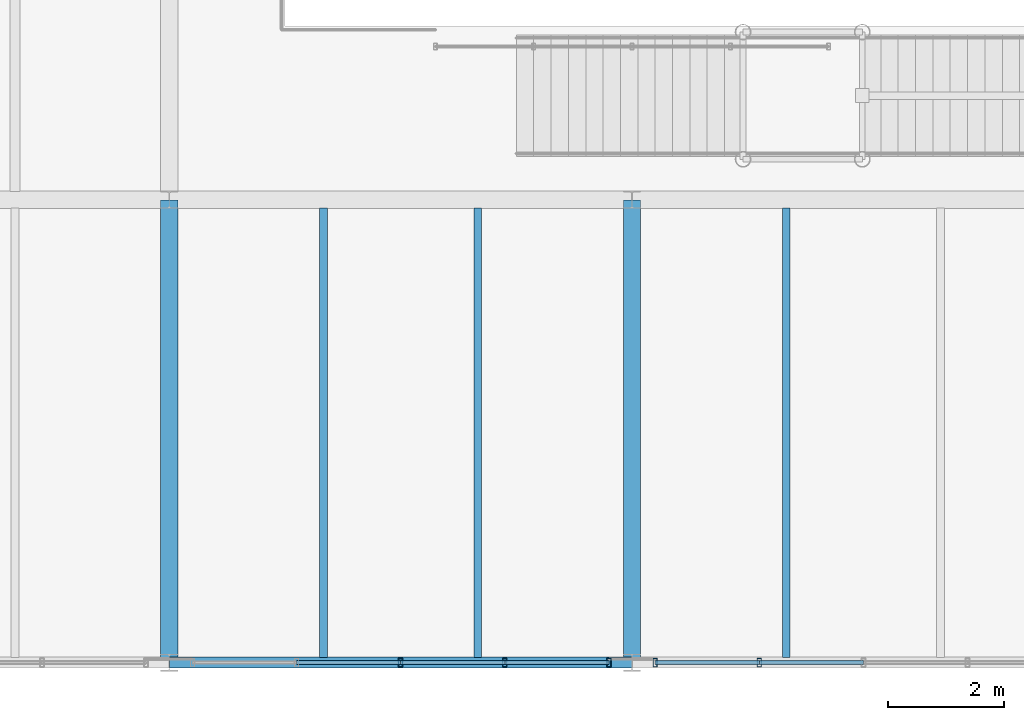
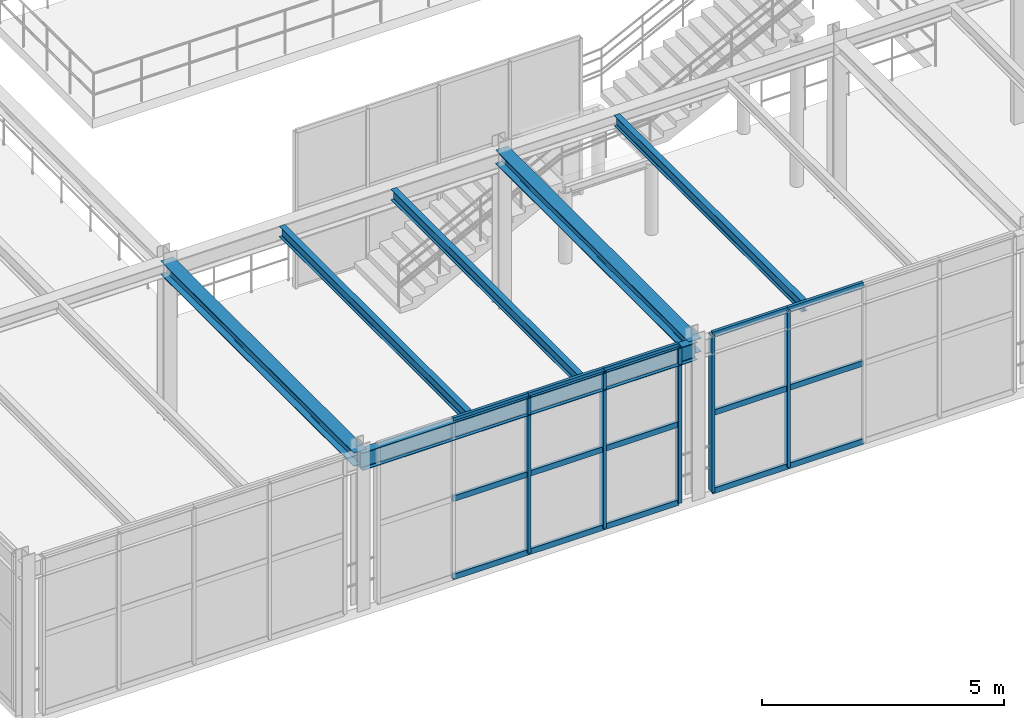
# One storey, part 35 of 124: 20 members, 6 beams, 2 elements without a shape of their own.
"""IFC4 building model written with IfcOpenShell, lengths in metres."""

from ifc_helpers import new_model, si_unit, direction, frame, origin, origin_2d, place, context, subcontext, project, spatial, hollow_rectangle, i_section, extrude, material, material_profile, profile_set, type_object, element, aggregate, save


model = new_model("IFC4")

# Units and contexts
model_context = context("Model", 3, precision=1e-05, world=origin(), true_north=direction((0.0, 1.0)))
body_context = subcontext(model_context, "Body", "Model", "MODEL_VIEW")
ifc_project = project(units=[si_unit("LENGTHUNIT", "METRE"), si_unit("AREAUNIT", "SQUARE_METRE"), si_unit("VOLUMEUNIT", "CUBIC_METRE"), si_unit("PLANEANGLEUNIT", "RADIAN"), si_unit("MASSUNIT", "GRAM", prefix="KILO")], contexts=[model_context])

# Site, building, storey
site_placement = place(None, origin())
site = spatial("IfcSite", under=ifc_project, at=site_placement, CompositionType="ELEMENT")
building_placement = place(site_placement, origin())
building = spatial("IfcBuilding", under=site, at=building_placement, Name="Sundkrona Museum", CompositionType="ELEMENT")
storey_placement = place(building_placement, frame((0.0, 0.0, 17.60009765625)))
storey = spatial("IfcBuildingStorey", under=building, at=storey_placement, Name="L03", CompositionType="ELEMENT", Elevation=17.60009765625)

# Beams
ifc_material_1 = material(Name="Steel S355J2", Category="steel")
ifc_material_profile_1 = material_profile(ifc_material_1, i_section(OverallWidth=0.300048828125, OverallDepth=0.35009765625, WebThickness=0.010009765625, FlangeThickness=0.017578125, FilletRadius=0.027099609375, at=origin_2d()), Name="HEA 360")
ifc_profile_set_1 = profile_set([ifc_material_profile_1], Name="Steel S355J2")
beam_type_1 = type_object("IfcBeamType", Name="B-HEA360", PredefinedType="BEAM", material=ifc_profile_set_1)
for number, where, z_axis, x_axis, name in (
    (1, (88.0, 0.0, 3.764892578125), (0.0, 1.0, 0.0), (-1.0, 0.0, 0.0), "L03 Girder Y-1608"),
    (2, (96.0, 0.0, 3.764892578125), (0.0, 1.0, 0.0), (-1.0, 0.0, 0.0), "L03 Girder Y-1613"),
):
    element("IfcBeam", number, at=place(storey_placement, frame(where, z_axis=z_axis, x_axis=x_axis)), inside=storey, type_object=beam_type_1, Name=name, PredefinedType="BEAM", context=body_context, shape_type="SweptSolid", body=[
        extrude(i_section(OverallWidth=0.300048828125, OverallDepth=0.35009765625, WebThickness=0.010009765625, FlangeThickness=0.017578125, FilletRadius=0.027099609375, at=origin_2d()), origin(), (0.0, 0.0, 1.0), 8.0),
    ])
ifc_material_profile_2 = material_profile(ifc_material_1, i_section(OverallWidth=0.135009765625, OverallDepth=0.27001953125, WebThickness=0.006591796875, FlangeThickness=0.01025390625, FilletRadius=0.014892578125, at=origin_2d()), Name="IPE 270")
ifc_profile_set_2 = profile_set([ifc_material_profile_2], Name="Steel S355J2")
beam_type_2 = type_object("IfcBeamType", Name="J-IPE270", PredefinedType="JOIST", material=ifc_profile_set_2)
for number, where, z_axis, x_axis, name in (
    (3, (90.666748046875, 0.089111328125, 3.804931640625), (0.0, 1.0, 0.0), (-1.0, 0.0, 0.0), "L03 Composite Joist 1052"),
    (4, (93.333251953125, 0.089111328125, 3.804931640625), (0.0, 1.0, 0.0), (-1.0, 0.0, 0.0), "L03 Composite Joist 1053"),
    (5, (98.666748046875, 0.089111328125, 3.804931640625), (0.0, 1.0, 0.0), (-1.0, 0.0, 0.0), "L03 Composite Joist 1056"),
):
    element("IfcBeam", number, at=place(storey_placement, frame(where, z_axis=z_axis, x_axis=x_axis)), inside=storey, type_object=beam_type_2, Name=name, PredefinedType="JOIST", context=body_context, shape_type="SweptSolid", body=[
        extrude(i_section(OverallWidth=0.135009765625, OverallDepth=0.27001953125, WebThickness=0.006591796875, FlangeThickness=0.01025390625, FilletRadius=0.014892578125, at=origin_2d()), origin(), (0.0, 0.0, 1.0), 7.766845703125),
    ])

# Curtain wall, members
ifc_material_2 = material(Name="Unitised Aluminium-Steel and Ceramic-Clad Curtain Walling", Category="steel")
curtain_wall_type = type_object("IfcCurtainWallType", Name="CW-AT-72x38", PredefinedType="NOTDEFINED", material=ifc_material_2)
curtain_wall_1_placement = place(storey_placement, origin())
curtain_wall_1 = element("IfcCurtainWall", 6, at=curtain_wall_1_placement, inside=storey, type_object=curtain_wall_type, Name="L03 Curtain Wall CW-L03-061", PredefinedType="NOTDEFINED")
ifc_material_3 = material(Name="Aluminium EN AW-6060 T66", Category="aluminium")
ifc_material_profile_3 = material_profile(ifc_material_3, hollow_rectangle(XDim=0.074951171875, YDim=0.14990234375, WallThickness=0.00634765625, at=origin_2d()), Name="RHS 150x75x6.3")
ifc_profile_set_3 = profile_set([ifc_material_profile_3], Name="Aluminium EN AW-6060 T66")
member_type_1 = type_object("IfcMemberType", Name="ML-150", PredefinedType="MULLION", material=ifc_profile_set_3)
member_1_placement = place(storey_placement, frame((92.0, 0.0, -0.004150390625), z_axis=(0.0, 0.0, 1.0), x_axis=(1.0, 0.0, 0.0)))
member_1 = element("IfcMember", 7, at=member_1_placement, type_object=member_type_1, Name="CW-L03-061 Mullion 03", PredefinedType="MULLION", context=body_context, shape_type="SweptSolid", body=[
    extrude(hollow_rectangle(XDim=0.074951171875, YDim=0.14990234375, WallThickness=0.00634765625, at=origin_2d()), origin(), (0.0, 0.0, 1.0), 3.947998046875),
])
member_2_placement = place(storey_placement, frame((93.800048828125, 0.0, -0.004150390625), z_axis=(0.0, 0.0, 1.0), x_axis=(1.0, 0.0, 0.0)))
member_2 = element("IfcMember", 8, at=member_2_placement, type_object=member_type_1, Name="CW-L03-061 Mullion 04", PredefinedType="MULLION", context=body_context, shape_type="SweptSolid", body=[
    extrude(hollow_rectangle(XDim=0.074951171875, YDim=0.14990234375, WallThickness=0.00634765625, at=origin_2d()), origin(), (0.0, 0.0, 1.0), 3.947998046875),
])
member_3_placement = place(storey_placement, frame((95.60009765625, 0.0, -0.004150390625), z_axis=(0.0, 0.0, 1.0), x_axis=(1.0, 0.0, 0.0)))
member_3 = element("IfcMember", 9, at=member_3_placement, type_object=member_type_1, Name="CW-L03-061 Mullion 05", PredefinedType="MULLION", context=body_context, shape_type="SweptSolid", body=[
    extrude(hollow_rectangle(XDim=0.074951171875, YDim=0.14990234375, WallThickness=0.00634765625, at=origin_2d()), origin(), (0.0, 0.0, 1.0), 3.947998046875),
])

curtain_wall_2_placement = place(storey_placement, origin())
curtain_wall_2 = element("IfcCurtainWall", 10, at=curtain_wall_2_placement, inside=storey, type_object=curtain_wall_type, Name="L03 Curtain Wall CW-L03-062", PredefinedType="NOTDEFINED")
member_4_placement = place(storey_placement, frame((96.39990234375, 0.0, -0.004150390625), z_axis=(0.0, 0.0, 1.0), x_axis=(1.0, 0.0, 0.0)))
member_4 = element("IfcMember", 11, at=member_4_placement, type_object=member_type_1, Name="CW-L03-062 Mullion 01", PredefinedType="MULLION", context=body_context, shape_type="SweptSolid", body=[
    extrude(hollow_rectangle(XDim=0.074951171875, YDim=0.14990234375, WallThickness=0.00634765625, at=origin_2d()), origin(), (0.0, 0.0, 1.0), 3.947998046875),
])
member_5_placement = place(storey_placement, frame((98.199951171875, 0.0, -0.004150390625), z_axis=(0.0, 0.0, 1.0), x_axis=(1.0, 0.0, 0.0)))
member_5 = element("IfcMember", 12, at=member_5_placement, type_object=member_type_1, Name="CW-L03-062 Mullion 02", PredefinedType="MULLION", context=body_context, shape_type="SweptSolid", body=[
    extrude(hollow_rectangle(XDim=0.074951171875, YDim=0.14990234375, WallThickness=0.00634765625, at=origin_2d()), origin(), (0.0, 0.0, 1.0), 3.947998046875),
])

# Beam
ifc_material_profile_4 = material_profile(ifc_material_1, i_section(OverallWidth=0.18994140625, OverallDepth=0.449951171875, WebThickness=0.009521484375, FlangeThickness=0.0146484375, FilletRadius=0.02099609375, at=origin_2d()), Name="IPE 450")
ifc_profile_set_4 = profile_set([ifc_material_profile_4], Name="Steel S355J2")
beam_type_3 = type_object("IfcBeamType", Name="SP-IPE450", PredefinedType="SPANDREL", material=ifc_profile_set_4)
beam_placement = place(storey_placement, frame((88.0, 0.0, 3.71484375), z_axis=(1.0, 0.0, 0.0), x_axis=(0.0, 1.0, 0.0)))
element("IfcBeam", 13, at=beam_placement, inside=storey, type_object=beam_type_3, Name="L03 Girder X-1411", PredefinedType="SPANDREL", context=body_context, shape_type="SweptSolid", body=[
    extrude(i_section(OverallWidth=0.18994140625, OverallDepth=0.449951171875, WebThickness=0.009521484375, FlangeThickness=0.0146484375, FilletRadius=0.02099609375, at=origin_2d()), origin(), (0.0, 0.0, 1.0), 8.0),
])

# Member
ifc_material_profile_5 = material_profile(ifc_material_3, hollow_rectangle(XDim=0.070068359375, YDim=0.139892578125, WallThickness=0.0048828125, at=origin_2d()), Name="RHS 140x70x5.0")
ifc_profile_set_5 = profile_set([ifc_material_profile_5], Name="Aluminium EN AW-6060 T66")
member_type_2 = type_object("IfcMemberType", Name="TR-140", PredefinedType="USERDEFINED", material=ifc_profile_set_5)
member_6_placement = place(storey_placement, frame((90.199951171875, 0.0, -0.004150390625), z_axis=(1.0, 0.0, 0.0), x_axis=(0.0, 1.0, 0.0)))
member_6 = element("IfcMember", 14, at=member_6_placement, type_object=member_type_2, Name="CW-L03-061 Transom 04", ObjectType="TRANSOM", PredefinedType="USERDEFINED", context=body_context, shape_type="SweptSolid", body=[
    extrude(hollow_rectangle(XDim=0.070068359375, YDim=0.139892578125, WallThickness=0.0048828125, at=origin_2d()), origin(), (0.0, 0.0, 1.0), 1.800048828125),
])

member_7_placement = place(storey_placement, frame((90.199951171875, 0.0, 1.969970703125), z_axis=(1.0, 0.0, 0.0), x_axis=(0.0, 1.0, 0.0)))
member_7 = element("IfcMember", 15, at=member_7_placement, type_object=member_type_2, Name="CW-L03-061 Transom 05", ObjectType="TRANSOM", PredefinedType="USERDEFINED", context=body_context, shape_type="SweptSolid", body=[
    extrude(hollow_rectangle(XDim=0.070068359375, YDim=0.139892578125, WallThickness=0.0048828125, at=origin_2d()), origin(), (0.0, 0.0, 1.0), 1.800048828125),
])

member_8_placement = place(storey_placement, frame((90.199951171875, 0.0, 3.94384765625), z_axis=(1.0, 0.0, 0.0), x_axis=(0.0, 1.0, 0.0)))
member_8 = element("IfcMember", 16, at=member_8_placement, type_object=member_type_2, Name="CW-L03-061 Transom 06", ObjectType="TRANSOM", PredefinedType="USERDEFINED", context=body_context, shape_type="SweptSolid", body=[
    extrude(hollow_rectangle(XDim=0.070068359375, YDim=0.139892578125, WallThickness=0.0048828125, at=origin_2d()), origin(), (0.0, 0.0, 1.0), 1.800048828125),
])

member_9_placement = place(storey_placement, frame((92.0, 0.0, -0.004150390625), z_axis=(1.0, 0.0, 0.0), x_axis=(0.0, 1.0, 0.0)))
member_9 = element("IfcMember", 17, at=member_9_placement, type_object=member_type_2, Name="CW-L03-061 Transom 07", ObjectType="TRANSOM", PredefinedType="USERDEFINED", context=body_context, shape_type="SweptSolid", body=[
    extrude(hollow_rectangle(XDim=0.070068359375, YDim=0.139892578125, WallThickness=0.0048828125, at=origin_2d()), origin(), (0.0, 0.0, 1.0), 1.800048828125),
])

member_10_placement = place(storey_placement, frame((92.0, 0.0, 1.969970703125), z_axis=(1.0, 0.0, 0.0), x_axis=(0.0, 1.0, 0.0)))
member_10 = element("IfcMember", 18, at=member_10_placement, type_object=member_type_2, Name="CW-L03-061 Transom 08", ObjectType="TRANSOM", PredefinedType="USERDEFINED", context=body_context, shape_type="SweptSolid", body=[
    extrude(hollow_rectangle(XDim=0.070068359375, YDim=0.139892578125, WallThickness=0.0048828125, at=origin_2d()), origin(), (0.0, 0.0, 1.0), 1.800048828125),
])

member_11_placement = place(storey_placement, frame((92.0, 0.0, 3.94384765625), z_axis=(1.0, 0.0, 0.0), x_axis=(0.0, 1.0, 0.0)))
member_11 = element("IfcMember", 19, at=member_11_placement, type_object=member_type_2, Name="CW-L03-061 Transom 09", ObjectType="TRANSOM", PredefinedType="USERDEFINED", context=body_context, shape_type="SweptSolid", body=[
    extrude(hollow_rectangle(XDim=0.070068359375, YDim=0.139892578125, WallThickness=0.0048828125, at=origin_2d()), origin(), (0.0, 0.0, 1.0), 1.800048828125),
])

member_12_placement = place(storey_placement, frame((93.800048828125, 0.0, -0.004150390625), z_axis=(1.0, 0.0, 0.0), x_axis=(0.0, 1.0, 0.0)))
member_12 = element("IfcMember", 20, at=member_12_placement, type_object=member_type_2, Name="CW-L03-061 Transom 10", ObjectType="TRANSOM", PredefinedType="USERDEFINED", context=body_context, shape_type="SweptSolid", body=[
    extrude(hollow_rectangle(XDim=0.070068359375, YDim=0.139892578125, WallThickness=0.0048828125, at=origin_2d()), origin(), (0.0, 0.0, 1.0), 1.800048828125),
])

member_13_placement = place(storey_placement, frame((93.800048828125, 0.0, 1.969970703125), z_axis=(1.0, 0.0, 0.0), x_axis=(0.0, 1.0, 0.0)))
member_13 = element("IfcMember", 21, at=member_13_placement, type_object=member_type_2, Name="CW-L03-061 Transom 11", ObjectType="TRANSOM", PredefinedType="USERDEFINED", context=body_context, shape_type="SweptSolid", body=[
    extrude(hollow_rectangle(XDim=0.070068359375, YDim=0.139892578125, WallThickness=0.0048828125, at=origin_2d()), origin(), (0.0, 0.0, 1.0), 1.800048828125),
])

member_14_placement = place(storey_placement, frame((93.800048828125, 0.0, 3.94384765625), z_axis=(1.0, 0.0, 0.0), x_axis=(0.0, 1.0, 0.0)))
member_14 = element("IfcMember", 22, at=member_14_placement, type_object=member_type_2, Name="CW-L03-061 Transom 12", ObjectType="TRANSOM", PredefinedType="USERDEFINED", context=body_context, shape_type="SweptSolid", body=[
    extrude(hollow_rectangle(XDim=0.070068359375, YDim=0.139892578125, WallThickness=0.0048828125, at=origin_2d()), origin(), (0.0, 0.0, 1.0), 1.800048828125),
])

aggregate(curtain_wall_1, [member_1, member_2, member_3, member_6, member_7, member_8, member_9, member_10, member_11, member_12, member_13, member_14])

member_15_placement = place(storey_placement, frame((96.39990234375, 0.0, -0.004150390625), z_axis=(1.0, 0.0, 0.0), x_axis=(0.0, 1.0, 0.0)))
member_15 = element("IfcMember", 23, at=member_15_placement, type_object=member_type_2, Name="CW-L03-062 Transom 01", ObjectType="TRANSOM", PredefinedType="USERDEFINED", context=body_context, shape_type="SweptSolid", body=[
    extrude(hollow_rectangle(XDim=0.070068359375, YDim=0.139892578125, WallThickness=0.0048828125, at=origin_2d()), origin(), (0.0, 0.0, 1.0), 1.800048828125),
])

member_16_placement = place(storey_placement, frame((96.39990234375, 0.0, 1.969970703125), z_axis=(1.0, 0.0, 0.0), x_axis=(0.0, 1.0, 0.0)))
member_16 = element("IfcMember", 24, at=member_16_placement, type_object=member_type_2, Name="CW-L03-062 Transom 02", ObjectType="TRANSOM", PredefinedType="USERDEFINED", context=body_context, shape_type="SweptSolid", body=[
    extrude(hollow_rectangle(XDim=0.070068359375, YDim=0.139892578125, WallThickness=0.0048828125, at=origin_2d()), origin(), (0.0, 0.0, 1.0), 1.800048828125),
])

member_17_placement = place(storey_placement, frame((96.39990234375, 0.0, 3.94384765625), z_axis=(1.0, 0.0, 0.0), x_axis=(0.0, 1.0, 0.0)))
member_17 = element("IfcMember", 25, at=member_17_placement, type_object=member_type_2, Name="CW-L03-062 Transom 03", ObjectType="TRANSOM", PredefinedType="USERDEFINED", context=body_context, shape_type="SweptSolid", body=[
    extrude(hollow_rectangle(XDim=0.070068359375, YDim=0.139892578125, WallThickness=0.0048828125, at=origin_2d()), origin(), (0.0, 0.0, 1.0), 1.800048828125),
])

member_18_placement = place(storey_placement, frame((98.199951171875, 0.0, -0.004150390625), z_axis=(1.0, 0.0, 0.0), x_axis=(0.0, 1.0, 0.0)))
member_18 = element("IfcMember", 26, at=member_18_placement, type_object=member_type_2, Name="CW-L03-062 Transom 04", ObjectType="TRANSOM", PredefinedType="USERDEFINED", context=body_context, shape_type="SweptSolid", body=[
    extrude(hollow_rectangle(XDim=0.070068359375, YDim=0.139892578125, WallThickness=0.0048828125, at=origin_2d()), origin(), (0.0, 0.0, 1.0), 1.800048828125),
])

member_19_placement = place(storey_placement, frame((98.199951171875, 0.0, 1.969970703125), z_axis=(1.0, 0.0, 0.0), x_axis=(0.0, 1.0, 0.0)))
member_19 = element("IfcMember", 27, at=member_19_placement, type_object=member_type_2, Name="CW-L03-062 Transom 05", ObjectType="TRANSOM", PredefinedType="USERDEFINED", context=body_context, shape_type="SweptSolid", body=[
    extrude(hollow_rectangle(XDim=0.070068359375, YDim=0.139892578125, WallThickness=0.0048828125, at=origin_2d()), origin(), (0.0, 0.0, 1.0), 1.800048828125),
])

member_20_placement = place(storey_placement, frame((98.199951171875, 0.0, 3.94384765625), z_axis=(1.0, 0.0, 0.0), x_axis=(0.0, 1.0, 0.0)))
member_20 = element("IfcMember", 28, at=member_20_placement, type_object=member_type_2, Name="CW-L03-062 Transom 06", ObjectType="TRANSOM", PredefinedType="USERDEFINED", context=body_context, shape_type="SweptSolid", body=[
    extrude(hollow_rectangle(XDim=0.070068359375, YDim=0.139892578125, WallThickness=0.0048828125, at=origin_2d()), origin(), (0.0, 0.0, 1.0), 1.800048828125),
])

aggregate(curtain_wall_2, [member_4, member_5, member_15, member_16, member_17, member_18, member_19, member_20])

save(model, "model.ifc")
